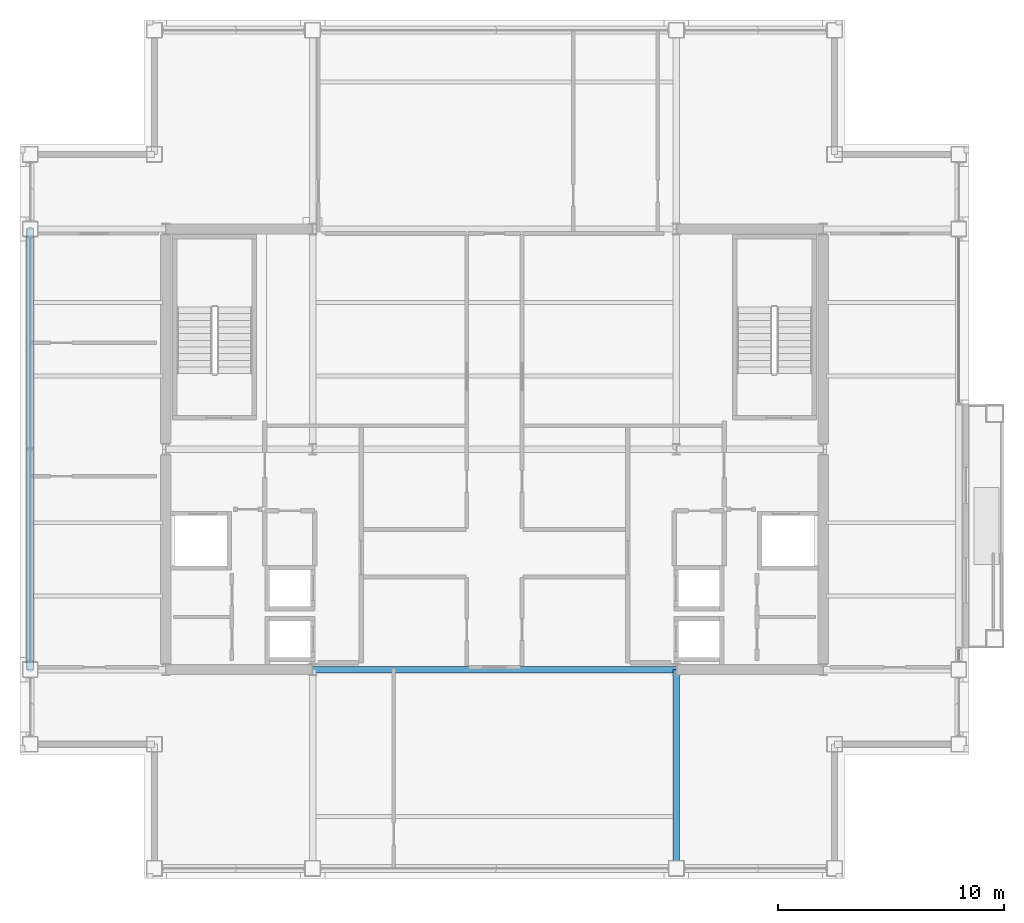
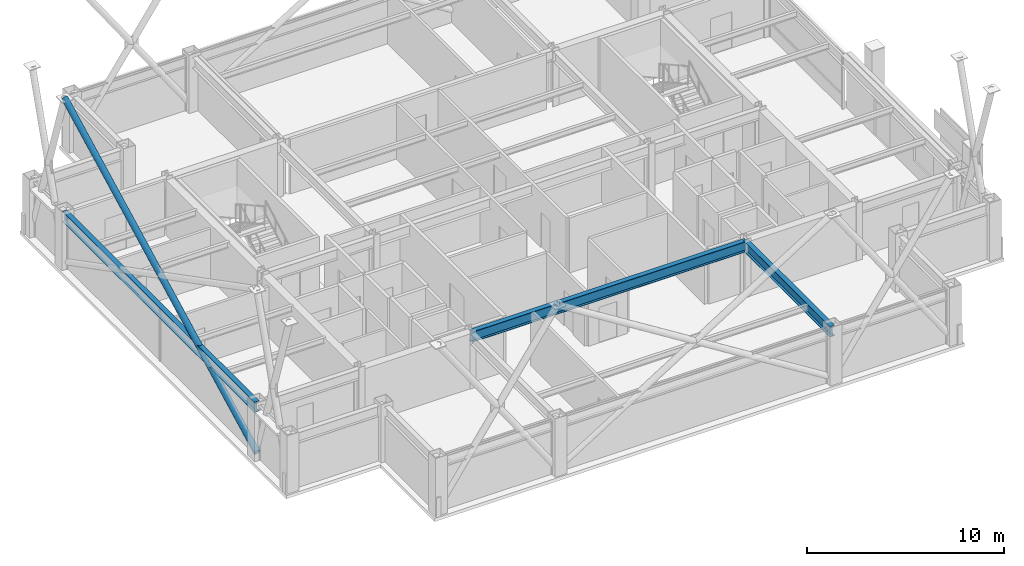
# One storey, part 9 of 33: 3 beams, 1 member.
"""IFC4 building model written with IfcOpenShell, lengths in metres."""

from ifc_helpers import new_model, si_unit, direction, frame, origin, origin_2d, place, context, subcontext, project, spatial, hollow_circle, i_section, extrude, material, material_profile, profile_set, type_object, element, save


model = new_model("IFC4")

# Units and contexts
model_context = context("Model", 3, precision=1e-05, world=origin(), true_north=direction((0.0, 1.0)))
body_context = subcontext(model_context, "Body", "Model", "MODEL_VIEW")
ifc_project = project(units=[si_unit("LENGTHUNIT", "METRE"), si_unit("AREAUNIT", "SQUARE_METRE"), si_unit("VOLUMEUNIT", "CUBIC_METRE"), si_unit("PLANEANGLEUNIT", "RADIAN"), si_unit("MASSUNIT", "GRAM", prefix="KILO")], contexts=[model_context])

# Site, building, storey
site_placement = place(None, origin())
site = spatial("IfcSite", under=ifc_project, at=site_placement, CompositionType="ELEMENT")
building_placement = place(site_placement, origin())
building = spatial("IfcBuilding", under=site, at=building_placement, Name="Brelmoor Portico Tower", CompositionType="ELEMENT")
storey_placement = place(building_placement, frame((0.0, 0.0, 194.699951171875)))
storey = spatial("IfcBuildingStorey", under=building, at=storey_placement, Name="L51", CompositionType="ELEMENT", Elevation=194.699951171875)

# Beams
ifc_material = material(Name="Steel Q355B", Category="steel")
ifc_material_profile_1 = material_profile(ifc_material, i_section(OverallWidth=0.280029296875, OverallDepth=0.64990234375, WebThickness=0.012939453125, FlangeThickness=0.02197265625, at=origin_2d()), Name="HN 650x280x13x22")
ifc_profile_set_1 = profile_set([ifc_material_profile_1], Name="Steel Q355B")
beam_type_1 = type_object("IfcBeamType", Name="BM-PG-650", PredefinedType="BEAM", material=ifc_profile_set_1)
beam_1_placement = place(storey_placement, frame((8.050048828125, -18.550048828125, 3.074951171875), z_axis=(0.0, 1.0, 0.0), x_axis=(-1.0, 0.0, 0.0)))
element("IfcBeam", 1, at=beam_1_placement, inside=storey, type_object=beam_type_1, Name="L51 Primary Floor Girder PG-06", PredefinedType="BEAM", context=body_context, shape_type="SweptSolid", body=[
    extrude(i_section(OverallWidth=0.280029296875, OverallDepth=0.64990234375, WebThickness=0.012939453125, FlangeThickness=0.02197265625, at=origin_2d()), origin(), (0.0, 0.0, 1.0), 8.800048828125),
])
beam_2_placement = place(storey_placement, frame((-8.050048828125, -9.75, 3.074951171875), z_axis=(1.0, 0.0, 0.0), x_axis=(0.0, 1.0, 0.0)))
element("IfcBeam", 2, at=beam_2_placement, inside=storey, type_object=beam_type_1, Name="L51 Primary Floor Girder PG-13", PredefinedType="BEAM", context=body_context, shape_type="SweptSolid", body=[
    extrude(i_section(OverallWidth=0.280029296875, OverallDepth=0.64990234375, WebThickness=0.012939453125, FlangeThickness=0.02197265625, at=origin_2d()), origin(), (0.0, 0.0, 1.0), 16.10009765625),
])
ifc_material_profile_2 = material_profile(ifc_material, i_section(OverallWidth=0.280029296875, OverallDepth=0.64990234375, WebThickness=0.012939453125, FlangeThickness=0.02197265625, at=origin_2d()), Name="HN 650x280x13x22")
ifc_profile_set_2 = profile_set([ifc_material_profile_2], Name="Steel Q355B")
beam_type_2 = type_object("IfcBeamType", Name="BM-SP-650", PredefinedType="SPANDREL", material=ifc_profile_set_2)
beam_3_placement = place(storey_placement, frame((-20.550048828125, -9.75, 3.074951171875), z_axis=(0.0, 1.0, 0.0), x_axis=(-1.0, 0.0, 0.0)))
element("IfcBeam", 3, at=beam_3_placement, inside=storey, type_object=beam_type_2, Name="L51 Perimeter Spandrel Beam SP-12", PredefinedType="SPANDREL", context=body_context, shape_type="SweptSolid", body=[
    extrude(i_section(OverallWidth=0.280029296875, OverallDepth=0.64990234375, WebThickness=0.012939453125, FlangeThickness=0.02197265625, at=origin_2d()), origin(), (0.0, 0.0, 1.0), 19.5),
])

# Member
ifc_material_profile_3 = material_profile(ifc_material, hollow_circle(Radius=0.177978515625, WallThickness=0.01611328125, at=origin_2d()), Name="CHS 356x16")
ifc_profile_set_3 = profile_set([ifc_material_profile_3], Name="Steel Q355B")
member_type = type_object("IfcMemberType", Name="MB-BELT-DIAG2", PredefinedType="BRACE", material=ifc_profile_set_3)
member_placement = place(storey_placement, frame((-20.550048828125, -9.75, 0.25), z_axis=(0.0, 0.887959386012, 0.459921872488), x_axis=(-1.0, 0.0, 0.0)))
element("IfcMember", 4, at=member_placement, inside=storey, type_object=member_type, Name="L51 Continuous Mega-X Brace 123A", PredefinedType="BRACE", context=body_context, shape_type="SweptSolid", body=[
    extrude(hollow_circle(Radius=0.177978515625, WallThickness=0.01611328125, at=origin_2d()), origin(), (0.0, 0.0, 1.0), 21.96044921875),
])

save(model, "model.ifc")
